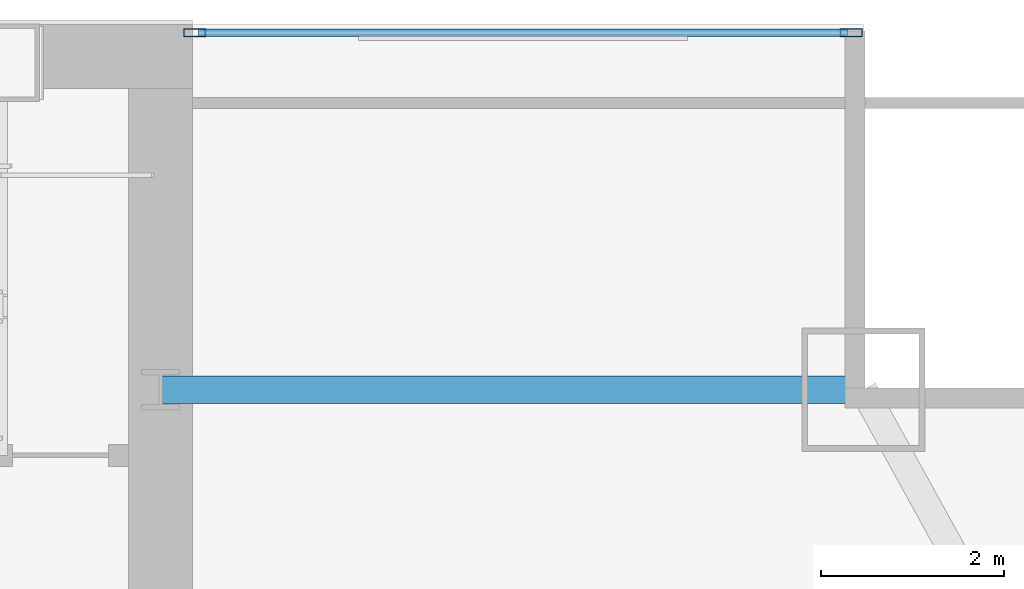
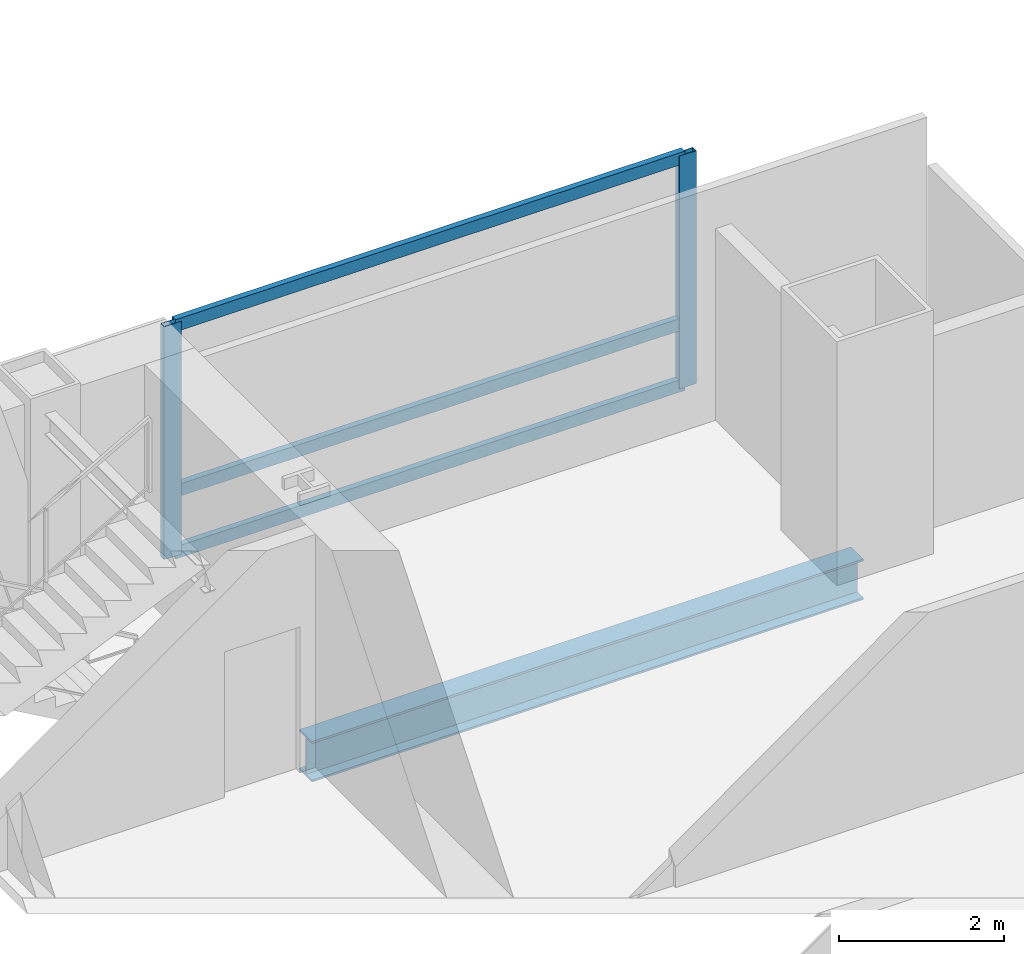
# One storey, part 20 of 30: 5 members, 1 beam, 1 element without a shape of its own.
"""IFC4 building model written with IfcOpenShell, lengths in metres."""

from ifc_helpers import new_model, si_unit, direction, frame, origin, origin_2d, place, context, subcontext, project, spatial, hollow_rectangle, i_section, extrude, material, material_profile, profile_set, type_object, element, aggregate, save


model = new_model("IFC4")

# Units and contexts
model_context = context("Model", 3, precision=1e-05, world=origin(), true_north=direction((0.0, 1.0)))
body_context = subcontext(model_context, "Body", "Model", "MODEL_VIEW")
ifc_project = project(units=[si_unit("LENGTHUNIT", "METRE"), si_unit("AREAUNIT", "SQUARE_METRE"), si_unit("VOLUMEUNIT", "CUBIC_METRE"), si_unit("PLANEANGLEUNIT", "RADIAN"), si_unit("MASSUNIT", "GRAM", prefix="KILO")], contexts=[model_context])

# Site, building, storey
site_placement = place(None, origin())
site = spatial("IfcSite", under=ifc_project, at=site_placement, CompositionType="ELEMENT")
building_placement = place(site_placement, origin())
building = spatial("IfcBuilding", under=site, at=building_placement, Name="Khoronbel Lancet Exchange", CompositionType="ELEMENT")
storey_placement = place(building_placement, frame((0.0, 0.0, 157.800048828125)))
storey = spatial("IfcBuildingStorey", under=building, at=storey_placement, Name="L39", CompositionType="ELEMENT", Elevation=157.800048828125)

# Beam
ifc_material_1 = material(Name="Steel S355", Category="steel")
ifc_material_profile_1 = material_profile(ifc_material_1, i_section(OverallWidth=0.300048828125, OverallDepth=0.60009765625, WebThickness=0.015380859375, FlangeThickness=0.030029296875, at=origin_2d()), Name="HEB 600")
ifc_profile_set_1 = profile_set([ifc_material_profile_1], Name="Steel S355")
beam_type = type_object("IfcBeamType", Name="BM-BSP2", PredefinedType="SPANDREL", material=ifc_profile_set_1)
beam_placement = place(storey_placement, frame((64.050048828125, 49.699951171875, -0.4599609375), z_axis=(-1.0, 0.0, 0.0), x_axis=(0.0, -1.0, 0.0)))
element("IfcBeam", 1, at=beam_placement, inside=storey, type_object=beam_type, Name="Level L39 north flank tie spandrel SP23", PredefinedType="SPANDREL", context=body_context, shape_type="SweptSolid", body=[
    extrude(i_section(OverallWidth=0.300048828125, OverallDepth=0.60009765625, WebThickness=0.015380859375, FlangeThickness=0.030029296875, at=origin_2d()), origin(), (0.0, 0.0, 1.0), 7.699951171875),
])

# Curtain wall, members
ifc_material_2 = material(Name="Low-E Solar Control Insulating Glass", Category="glass")
curtain_wall_type = type_object("IfcCurtainWallType", Name="CW-3", PredefinedType="NOTDEFINED", material=ifc_material_2)
curtain_wall_placement = place(storey_placement, origin())
curtain_wall = element("IfcCurtainWall", 2, at=curtain_wall_placement, inside=storey, type_object=curtain_wall_type, Name="Unitised curtain wall CW-L39-NEFLK", PredefinedType="NOTDEFINED")
ifc_material_3 = material(Name="Bronze-Anodised Aluminium 6063-T6", Category="aluminium")
ifc_material_profile_2 = material_profile(ifc_material_3, hollow_rectangle(XDim=0.0849609375, YDim=0.239990234375, WallThickness=0.006103515625, at=origin_2d()), Name="ALU MULLION 85x240")
ifc_profile_set_2 = profile_set([ifc_material_profile_2], Name="Bronze-Anodised Aluminium 6063-T6")
member_type_1 = type_object("IfcMemberType", Name="MEM-CWM1", PredefinedType="MULLION", material=ifc_profile_set_2)
member_1_placement = place(storey_placement, frame((63.91748046875, 53.610107421875, 0.0), z_axis=(0.0, 0.0, 1.0), x_axis=(0.0, -1.0, 0.0)))
member_1 = element("IfcMember", 3, at=member_1_placement, type_object=member_type_1, Name="CW3 mullion 1", PredefinedType="MULLION", context=body_context, shape_type="SweptSolid", body=[
    extrude(hollow_rectangle(XDim=0.0849609375, YDim=0.239990234375, WallThickness=0.006103515625, at=origin_2d()), origin(), (0.0, 0.0, 1.0), 3.43994140625),
])
member_2_placement = place(storey_placement, frame((56.722412109375, 53.610107421875, 0.0), z_axis=(0.0, 0.0, 1.0), x_axis=(0.0, -1.0, 0.0)))
member_2 = element("IfcMember", 4, at=member_2_placement, type_object=member_type_1, Name="CW3 mullion 2", PredefinedType="MULLION", context=body_context, shape_type="SweptSolid", body=[
    extrude(hollow_rectangle(XDim=0.0849609375, YDim=0.239990234375, WallThickness=0.006103515625, at=origin_2d()), origin(), (0.0, 0.0, 1.0), 3.43994140625),
])
ifc_material_profile_3 = material_profile(ifc_material_3, hollow_rectangle(XDim=0.0849609375, YDim=0.179931640625, WallThickness=0.0048828125, at=origin_2d()), Name="ALU TRANSOM 85x180")
ifc_profile_set_3 = profile_set([ifc_material_profile_3], Name="Bronze-Anodised Aluminium 6063-T6")
member_type_2 = type_object("IfcMemberType", Name="MEM-CWT1", PredefinedType="USERDEFINED", material=ifc_profile_set_3)
member_3_placement = place(storey_placement, frame((63.875, 53.610107421875, 0.04248046875), z_axis=(-1.0, 0.0, 0.0), x_axis=(0.0, -1.0, 0.0)))
member_3 = element("IfcMember", 5, at=member_3_placement, type_object=member_type_2, Name="CW3 transom 1.1", ObjectType="TRANSOM", PredefinedType="USERDEFINED", context=body_context, shape_type="SweptSolid", body=[
    extrude(hollow_rectangle(XDim=0.0849609375, YDim=0.179931640625, WallThickness=0.0048828125, at=origin_2d()), origin(), (0.0, 0.0, 1.0), 7.110107421875),
])
member_4_placement = place(storey_placement, frame((63.875, 53.610107421875, 0.949951171875), z_axis=(-1.0, 0.0, 0.0), x_axis=(0.0, -1.0, 0.0)))
member_4 = element("IfcMember", 6, at=member_4_placement, type_object=member_type_2, Name="CW3 transom 1.2", ObjectType="TRANSOM", PredefinedType="USERDEFINED", context=body_context, shape_type="SweptSolid", body=[
    extrude(hollow_rectangle(XDim=0.0849609375, YDim=0.179931640625, WallThickness=0.0048828125, at=origin_2d()), origin(), (0.0, 0.0, 1.0), 7.110107421875),
])
member_5_placement = place(storey_placement, frame((63.875, 53.610107421875, 3.3974609375), z_axis=(-1.0, 0.0, 0.0), x_axis=(0.0, -1.0, 0.0)))
member_5 = element("IfcMember", 7, at=member_5_placement, type_object=member_type_2, Name="CW3 transom 1.3", ObjectType="TRANSOM", PredefinedType="USERDEFINED", context=body_context, shape_type="SweptSolid", body=[
    extrude(hollow_rectangle(XDim=0.0849609375, YDim=0.179931640625, WallThickness=0.0048828125, at=origin_2d()), origin(), (0.0, 0.0, 1.0), 7.110107421875),
])
aggregate(curtain_wall, [member_1, member_2, member_3, member_4, member_5])

save(model, "model.ifc")
